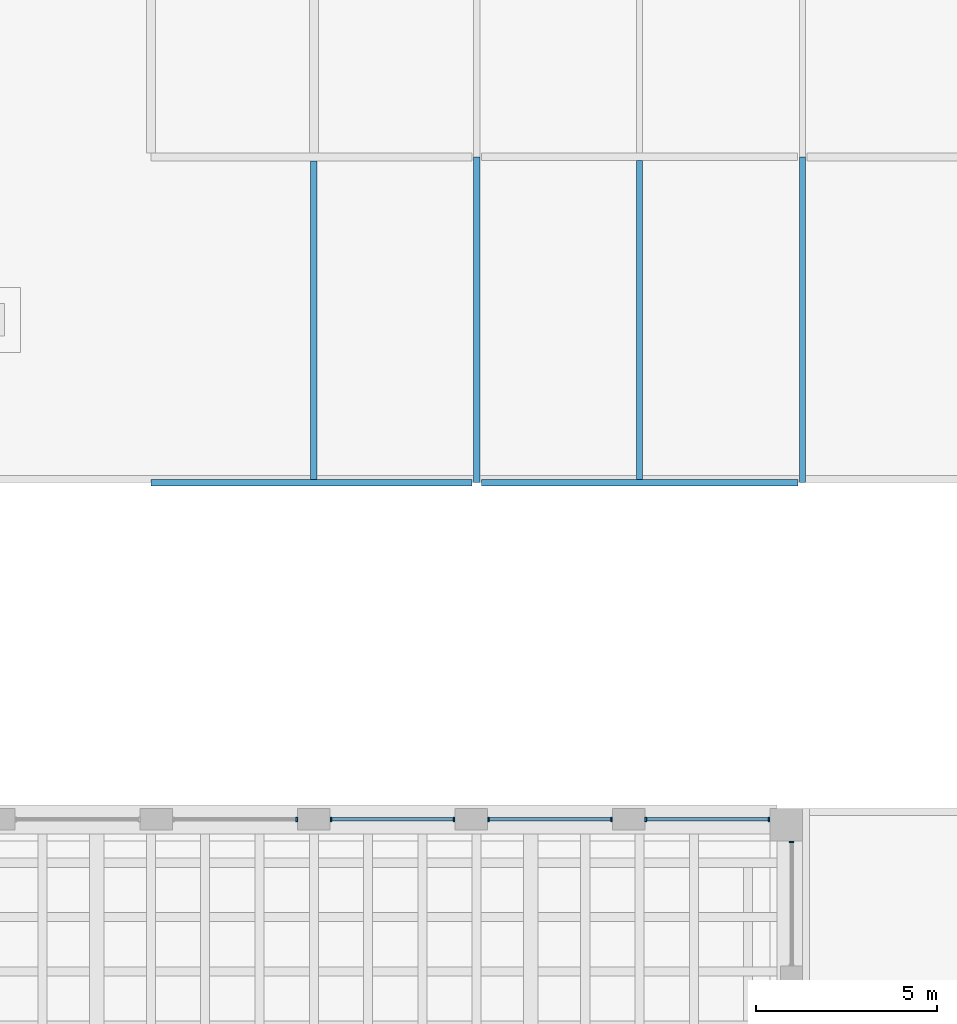
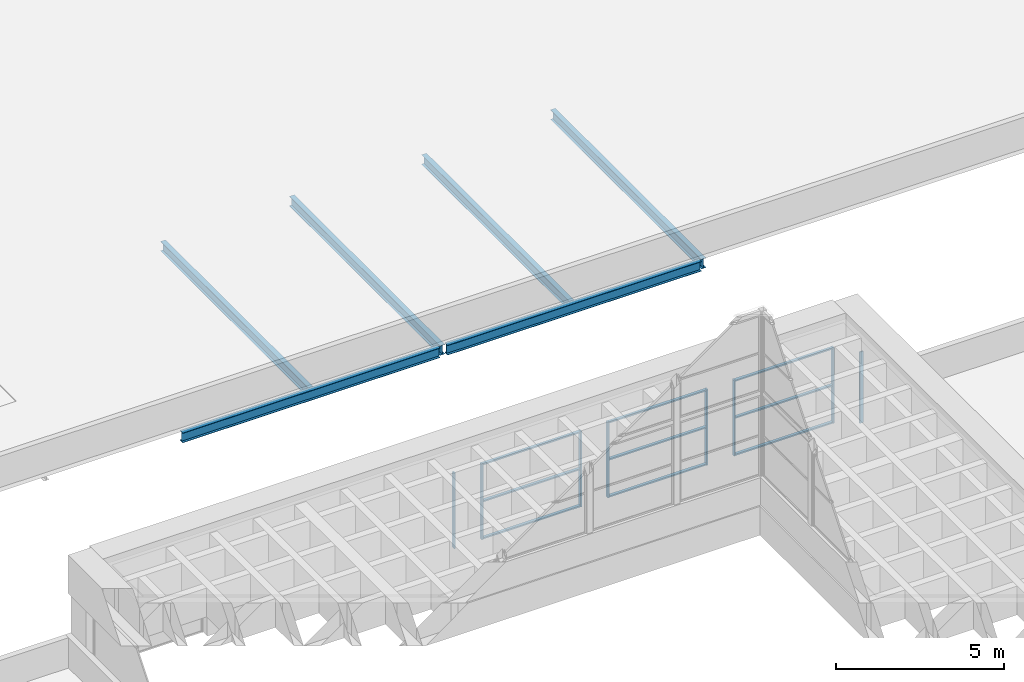
# One storey, part 36 of 50: 17 members, 6 beams, 5 elements without a shape of their own.
"""IFC4 building model written with IfcOpenShell, lengths in metres."""

from ifc_helpers import new_model, si_unit, direction, frame, origin, origin_2d, place, context, subcontext, project, spatial, rectangle, i_section, extrude, material, layer, layer_set, material_profile, profile_set, type_object, element, aggregate, save


model = new_model("IFC4")

# Units and contexts
model_context = context("Model", 3, precision=1e-05, world=origin(), true_north=direction((0.0, 1.0)))
body_context = subcontext(model_context, "Body", "Model", "MODEL_VIEW")
ifc_project = project(units=[si_unit("LENGTHUNIT", "METRE"), si_unit("AREAUNIT", "SQUARE_METRE"), si_unit("VOLUMEUNIT", "CUBIC_METRE"), si_unit("PLANEANGLEUNIT", "RADIAN"), si_unit("MASSUNIT", "GRAM", prefix="KILO")], contexts=[model_context])

# Site, building, storey
site_placement = place(None, origin())
site = spatial("IfcSite", under=ifc_project, at=site_placement, CompositionType="ELEMENT")
building_placement = place(site_placement, origin())
building = spatial("IfcBuilding", under=site, at=building_placement, Name="Corbel Yard City Hall", CompositionType="ELEMENT")
storey_placement = place(building_placement, frame((0.0, 0.0, 15.0)))
storey = spatial("IfcBuildingStorey", under=building, at=storey_placement, Name="L03", CompositionType="ELEMENT", Elevation=15.0)

# Beams
ifc_material_1 = material(Name="Steel Grade 300 (300 MPa yield)", Category="steel")
ifc_material_profile_1 = material_profile(ifc_material_1, i_section(OverallWidth=0.1708984375, OverallDepth=0.35205078125, WebThickness=0.0068359375, FlangeThickness=0.009765625, at=origin_2d()), Name="360UB44.7")
ifc_profile_set_1 = profile_set([ifc_material_profile_1], Name="Steel Grade 300 (300 MPa yield)")
beam_type_1 = type_object("IfcBeamType", Name="Beam 360UB44.7", PredefinedType="BEAM", material=ifc_profile_set_1)
for number, where, z_axis, x_axis, name in (
    (1, (135.0, 90.00439453125, -0.325927734375), (0.0, 1.0, 0.0), (-1.0, 0.0, 0.0), "Beam 360UB44.7 SB13 L03roof"),
    (2, (144.0, 90.00439453125, -0.325927734375), (0.0, 1.0, 0.0), (-1.0, 0.0, 0.0), "Beam 360UB44.7 SB13 L03roof"),
):
    element("IfcBeam", number, at=place(storey_placement, frame(where, z_axis=z_axis, x_axis=x_axis)), inside=storey, type_object=beam_type_1, Name=name, PredefinedType="BEAM", context=body_context, shape_type="SweptSolid", body=[
        extrude(i_section(OverallWidth=0.1708984375, OverallDepth=0.35205078125, WebThickness=0.0068359375, FlangeThickness=0.009765625, at=origin_2d()), origin(), (0.0, 0.0, 1.0), 8.990234375),
    ])
ifc_material_profile_2 = material_profile(ifc_material_1, i_section(OverallWidth=0.172119140625, OverallDepth=0.35888671875, WebThickness=0.008056640625, FlangeThickness=0.012939453125, at=origin_2d()), Name="360UB56.7")
ifc_profile_set_2 = profile_set([ifc_material_profile_2], Name="Steel Grade 300 (300 MPa yield)")
beam_type_2 = type_object("IfcBeamType", Name="Edge beam 360UB56.7", PredefinedType="BEAM", material=ifc_profile_set_2)
beam_1_placement = place(storey_placement, frame((126.0, 90.0, -0.32958984375), z_axis=(1.0, 0.0, 0.0), x_axis=(0.0, 1.0, 0.0)))
element("IfcBeam", 3, at=beam_1_placement, inside=storey, type_object=beam_type_2, Name="Edge beam 360UB56.7 EB4 L03roof", PredefinedType="BEAM", context=body_context, shape_type="SweptSolid", body=[
    extrude(i_section(OverallWidth=0.172119140625, OverallDepth=0.35888671875, WebThickness=0.008056640625, FlangeThickness=0.012939453125, at=origin_2d()), origin(), (0.0, 0.0, 1.0), 8.873046875),
])
beam_2_placement = place(storey_placement, frame((135.126953125, 90.0, -0.32958984375), z_axis=(1.0, 0.0, 0.0), x_axis=(0.0, 1.0, 0.0)))
element("IfcBeam", 4, at=beam_2_placement, inside=storey, type_object=beam_type_2, Name="Edge beam 360UB56.7 EB4 L03roof", PredefinedType="BEAM", context=body_context, shape_type="SweptSolid", body=[
    extrude(i_section(OverallWidth=0.172119140625, OverallDepth=0.35888671875, WebThickness=0.008056640625, FlangeThickness=0.012939453125, at=origin_2d()), origin(), (0.0, 0.0, 1.0), 8.74609375),
])

# Curtain wall, member
ifc_material_2 = material(Name="Aluminium extrusion", Category="aluminium")
ifc_layer = layer(ifc_material_2, 0.1201171875)
ifc_layer_set = layer_set([ifc_layer], Name="Aluminium extrusion")
curtain_wall_type = type_object("IfcCurtainWallType", Name="CW3", PredefinedType="USERDEFINED", material=ifc_layer_set)
curtain_wall_1_placement = place(storey_placement, origin())
curtain_wall_1 = element("IfcCurtainWall", 5, at=curtain_wall_1_placement, inside=storey, type_object=curtain_wall_type, Name="Chamber clerestory glazing", ObjectType="CURTAIN WALL", PredefinedType="USERDEFINED")
ifc_material_profile_3 = material_profile(ifc_material_2, rectangle(XDim=0.1201171875, YDim=0.050048828125, at=origin_2d()), Name="120x50")
ifc_profile_set_3 = profile_set([ifc_material_profile_3], Name="Aluminium extrusion")
member_type_1 = type_object("IfcMemberType", Name="ML3", PredefinedType="MULLION", material=ifc_profile_set_3)
member_1_placement = place(storey_placement, frame((130.02490234375, 80.699951171875, -0.14990234375), z_axis=(0.0, 0.0, 1.0), x_axis=(0.0, 1.0, 0.0)))
member_1 = element("IfcMember", 6, at=member_1_placement, type_object=member_type_1, Name="CW3 mullion 2", PredefinedType="MULLION", context=body_context, shape_type="SweptSolid", body=[
    extrude(rectangle(XDim=0.1201171875, YDim=0.050048828125, at=origin_2d()), origin(), (0.0, 0.0, 1.0), 2.75),
])
aggregate(curtain_wall_1, [member_1])

# Curtain wall, members
curtain_wall_2_placement = place(storey_placement, origin())
curtain_wall_2 = element("IfcCurtainWall", 7, at=curtain_wall_2_placement, inside=storey, type_object=curtain_wall_type, Name="Chamber clerestory glazing", ObjectType="CURTAIN WALL", PredefinedType="USERDEFINED")
member_2_placement = place(storey_placement, frame((130.97509765625, 80.699951171875, -0.14990234375), z_axis=(0.0, 0.0, 1.0), x_axis=(0.0, 1.0, 0.0)))
member_2 = element("IfcMember", 8, at=member_2_placement, type_object=member_type_1, Name="CW3 mullion 1", PredefinedType="MULLION", context=body_context, shape_type="SweptSolid", body=[
    extrude(rectangle(XDim=0.1201171875, YDim=0.050048828125, at=origin_2d()), origin(), (0.0, 0.0, 1.0), 2.75),
])
member_3_placement = place(storey_placement, frame((134.375, 80.699951171875, -0.14990234375), z_axis=(0.0, 0.0, 1.0), x_axis=(0.0, 1.0, 0.0)))
member_3 = element("IfcMember", 9, at=member_3_placement, type_object=member_type_1, Name="CW3 mullion 2", PredefinedType="MULLION", context=body_context, shape_type="SweptSolid", body=[
    extrude(rectangle(XDim=0.1201171875, YDim=0.050048828125, at=origin_2d()), origin(), (0.0, 0.0, 1.0), 2.75),
])

curtain_wall_3_placement = place(storey_placement, origin())
curtain_wall_3 = element("IfcCurtainWall", 10, at=curtain_wall_3_placement, inside=storey, type_object=curtain_wall_type, Name="Chamber clerestory glazing", ObjectType="CURTAIN WALL", PredefinedType="USERDEFINED")
member_4_placement = place(storey_placement, frame((135.324951171875, 80.699951171875, -0.14990234375), z_axis=(0.0, 0.0, 1.0), x_axis=(0.0, 1.0, 0.0)))
member_4 = element("IfcMember", 11, at=member_4_placement, type_object=member_type_1, Name="CW3 mullion 1", PredefinedType="MULLION", context=body_context, shape_type="SweptSolid", body=[
    extrude(rectangle(XDim=0.1201171875, YDim=0.050048828125, at=origin_2d()), origin(), (0.0, 0.0, 1.0), 2.75),
])
member_5_placement = place(storey_placement, frame((138.72509765625, 80.699951171875, -0.14990234375), z_axis=(0.0, 0.0, 1.0), x_axis=(0.0, 1.0, 0.0)))
member_5 = element("IfcMember", 12, at=member_5_placement, type_object=member_type_1, Name="CW3 mullion 2", PredefinedType="MULLION", context=body_context, shape_type="SweptSolid", body=[
    extrude(rectangle(XDim=0.1201171875, YDim=0.050048828125, at=origin_2d()), origin(), (0.0, 0.0, 1.0), 2.75),
])

curtain_wall_4_placement = place(storey_placement, origin())
curtain_wall_4 = element("IfcCurtainWall", 13, at=curtain_wall_4_placement, inside=storey, type_object=curtain_wall_type, Name="Chamber clerestory glazing", ObjectType="CURTAIN WALL", PredefinedType="USERDEFINED")
member_6_placement = place(storey_placement, frame((139.675048828125, 80.699951171875, -0.14990234375), z_axis=(0.0, 0.0, 1.0), x_axis=(0.0, 1.0, 0.0)))
member_6 = element("IfcMember", 14, at=member_6_placement, type_object=member_type_1, Name="CW3 mullion 1", PredefinedType="MULLION", context=body_context, shape_type="SweptSolid", body=[
    extrude(rectangle(XDim=0.1201171875, YDim=0.050048828125, at=origin_2d()), origin(), (0.0, 0.0, 1.0), 2.75),
])
member_7_placement = place(storey_placement, frame((143.074951171875, 80.699951171875, -0.14990234375), z_axis=(0.0, 0.0, 1.0), x_axis=(0.0, 1.0, 0.0)))
member_7 = element("IfcMember", 15, at=member_7_placement, type_object=member_type_1, Name="CW3 mullion 2", PredefinedType="MULLION", context=body_context, shape_type="SweptSolid", body=[
    extrude(rectangle(XDim=0.1201171875, YDim=0.050048828125, at=origin_2d()), origin(), (0.0, 0.0, 1.0), 2.75),
])

# Curtain wall, member
curtain_wall_5_placement = place(storey_placement, origin())
curtain_wall_5 = element("IfcCurtainWall", 16, at=curtain_wall_5_placement, inside=storey, type_object=curtain_wall_type, Name="Chamber clerestory glazing", ObjectType="CURTAIN WALL", PredefinedType="USERDEFINED")
member_8_placement = place(storey_placement, frame((143.699951171875, 80.074951171875, 0.0), z_axis=(0.0, 0.0, 1.0), x_axis=(-1.0, 0.0, 0.0)))
member_8 = element("IfcMember", 17, at=member_8_placement, type_object=member_type_1, Name="CW3 mullion 2", PredefinedType="MULLION", context=body_context, shape_type="SweptSolid", body=[
    extrude(rectangle(XDim=0.1201171875, YDim=0.050048828125, at=origin_2d()), origin(), (0.0, 0.0, 1.0), 2.60009765625),
])
aggregate(curtain_wall_5, [member_8])

# Beams
ifc_material_profile_4 = material_profile(ifc_material_1, i_section(OverallWidth=0.1708984375, OverallDepth=0.35205078125, WebThickness=0.0068359375, FlangeThickness=0.009765625, at=origin_2d()), Name="360UB44.7")
ifc_profile_set_4 = profile_set([ifc_material_profile_4], Name="Steel Grade 300 (300 MPa yield)")
beam_type_3 = type_object("IfcBeamType", Name="Secondary beam 360UB44.7", PredefinedType="JOIST", material=ifc_profile_set_4)
beam_3_placement = place(storey_placement, frame((130.5, 90.0859375, -0.325927734375), z_axis=(0.0, 1.0, 0.0), x_axis=(-1.0, 0.0, 0.0)))
element("IfcBeam", 18, at=beam_3_placement, inside=storey, type_object=beam_type_3, Name="Secondary beam 360UB44.7 SB11 L03roof", PredefinedType="JOIST", context=body_context, shape_type="SweptSolid", body=[
    extrude(i_section(OverallWidth=0.1708984375, OverallDepth=0.35205078125, WebThickness=0.0068359375, FlangeThickness=0.009765625, at=origin_2d()), origin(), (0.0, 0.0, 1.0), 8.799560546875),
])
beam_4_placement = place(storey_placement, frame((139.5, 90.0859375, -0.325927734375), z_axis=(0.0, 1.0, 0.0), x_axis=(-1.0, 0.0, 0.0)))
element("IfcBeam", 19, at=beam_4_placement, inside=storey, type_object=beam_type_3, Name="Secondary beam 360UB44.7 SB11 L03roof", PredefinedType="JOIST", context=body_context, shape_type="SweptSolid", body=[
    extrude(i_section(OverallWidth=0.1708984375, OverallDepth=0.35205078125, WebThickness=0.0068359375, FlangeThickness=0.009765625, at=origin_2d()), origin(), (0.0, 0.0, 1.0), 8.8095703125),
])

# Member
ifc_material_profile_5 = material_profile(ifc_material_2, rectangle(XDim=0.10009765625, YDim=0.050048828125, at=origin_2d()), Name="100x50")
ifc_profile_set_5 = profile_set([ifc_material_profile_5], Name="Aluminium extrusion")
member_type_2 = type_object("IfcMemberType", Name="TR3", PredefinedType="USERDEFINED", material=ifc_profile_set_5)
member_9_placement = place(storey_placement, frame((131.0, 80.699951171875, -0.125), z_axis=(1.0, 0.0, 0.0), x_axis=(0.0, 1.0, 0.0)))
member_9 = element("IfcMember", 20, at=member_9_placement, type_object=member_type_2, Name="CW3 transom 1.1", ObjectType="TRANSOM", PredefinedType="USERDEFINED", context=body_context, shape_type="SweptSolid", body=[
    extrude(rectangle(XDim=0.10009765625, YDim=0.050048828125, at=origin_2d()), origin(), (0.0, 0.0, 1.0), 3.35009765625),
])

member_10_placement = place(storey_placement, frame((131.0, 80.699951171875, 1.22509765625), z_axis=(1.0, 0.0, 0.0), x_axis=(0.0, 1.0, 0.0)))
member_10 = element("IfcMember", 21, at=member_10_placement, type_object=member_type_2, Name="CW3 transom 1.2", ObjectType="TRANSOM", PredefinedType="USERDEFINED", context=body_context, shape_type="SweptSolid", body=[
    extrude(rectangle(XDim=0.10009765625, YDim=0.050048828125, at=origin_2d()), origin(), (0.0, 0.0, 1.0), 3.35009765625),
])

member_11_placement = place(storey_placement, frame((131.0, 80.699951171875, 2.574951171875), z_axis=(1.0, 0.0, 0.0), x_axis=(0.0, 1.0, 0.0)))
member_11 = element("IfcMember", 22, at=member_11_placement, type_object=member_type_2, Name="CW3 transom 1.3", ObjectType="TRANSOM", PredefinedType="USERDEFINED", context=body_context, shape_type="SweptSolid", body=[
    extrude(rectangle(XDim=0.10009765625, YDim=0.050048828125, at=origin_2d()), origin(), (0.0, 0.0, 1.0), 3.35009765625),
])

aggregate(curtain_wall_2, [member_2, member_3, member_9, member_10, member_11])

member_12_placement = place(storey_placement, frame((135.35009765625, 80.699951171875, -0.125), z_axis=(1.0, 0.0, 0.0), x_axis=(0.0, 1.0, 0.0)))
member_12 = element("IfcMember", 23, at=member_12_placement, type_object=member_type_2, Name="CW3 transom 1.1", ObjectType="TRANSOM", PredefinedType="USERDEFINED", context=body_context, shape_type="SweptSolid", body=[
    extrude(rectangle(XDim=0.10009765625, YDim=0.050048828125, at=origin_2d()), origin(), (0.0, 0.0, 1.0), 3.349853515625),
])

member_13_placement = place(storey_placement, frame((135.35009765625, 80.699951171875, 1.22509765625), z_axis=(1.0, 0.0, 0.0), x_axis=(0.0, 1.0, 0.0)))
member_13 = element("IfcMember", 24, at=member_13_placement, type_object=member_type_2, Name="CW3 transom 1.2", ObjectType="TRANSOM", PredefinedType="USERDEFINED", context=body_context, shape_type="SweptSolid", body=[
    extrude(rectangle(XDim=0.10009765625, YDim=0.050048828125, at=origin_2d()), origin(), (0.0, 0.0, 1.0), 3.349853515625),
])

member_14_placement = place(storey_placement, frame((135.35009765625, 80.699951171875, 2.574951171875), z_axis=(1.0, 0.0, 0.0), x_axis=(0.0, 1.0, 0.0)))
member_14 = element("IfcMember", 25, at=member_14_placement, type_object=member_type_2, Name="CW3 transom 1.3", ObjectType="TRANSOM", PredefinedType="USERDEFINED", context=body_context, shape_type="SweptSolid", body=[
    extrude(rectangle(XDim=0.10009765625, YDim=0.050048828125, at=origin_2d()), origin(), (0.0, 0.0, 1.0), 3.349853515625),
])

aggregate(curtain_wall_3, [member_4, member_5, member_12, member_13, member_14])

member_15_placement = place(storey_placement, frame((139.699951171875, 80.699951171875, -0.125), z_axis=(1.0, 0.0, 0.0), x_axis=(0.0, 1.0, 0.0)))
member_15 = element("IfcMember", 26, at=member_15_placement, type_object=member_type_2, Name="CW3 transom 1.1", ObjectType="TRANSOM", PredefinedType="USERDEFINED", context=body_context, shape_type="SweptSolid", body=[
    extrude(rectangle(XDim=0.10009765625, YDim=0.050048828125, at=origin_2d()), origin(), (0.0, 0.0, 1.0), 3.35009765625),
])

member_16_placement = place(storey_placement, frame((139.699951171875, 80.699951171875, 1.22509765625), z_axis=(1.0, 0.0, 0.0), x_axis=(0.0, 1.0, 0.0)))
member_16 = element("IfcMember", 27, at=member_16_placement, type_object=member_type_2, Name="CW3 transom 1.2", ObjectType="TRANSOM", PredefinedType="USERDEFINED", context=body_context, shape_type="SweptSolid", body=[
    extrude(rectangle(XDim=0.10009765625, YDim=0.050048828125, at=origin_2d()), origin(), (0.0, 0.0, 1.0), 3.35009765625),
])

member_17_placement = place(storey_placement, frame((139.699951171875, 80.699951171875, 2.574951171875), z_axis=(1.0, 0.0, 0.0), x_axis=(0.0, 1.0, 0.0)))
member_17 = element("IfcMember", 28, at=member_17_placement, type_object=member_type_2, Name="CW3 transom 1.3", ObjectType="TRANSOM", PredefinedType="USERDEFINED", context=body_context, shape_type="SweptSolid", body=[
    extrude(rectangle(XDim=0.10009765625, YDim=0.050048828125, at=origin_2d()), origin(), (0.0, 0.0, 1.0), 3.35009765625),
])

aggregate(curtain_wall_4, [member_6, member_7, member_15, member_16, member_17])

save(model, "model.ifc")
